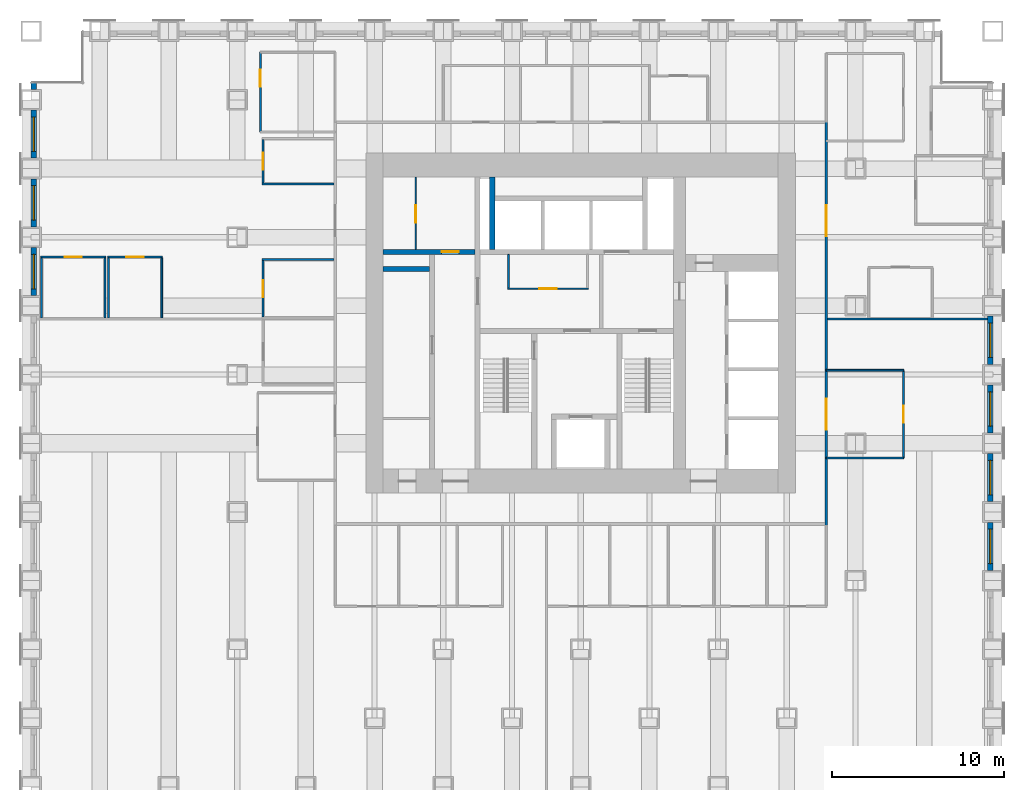
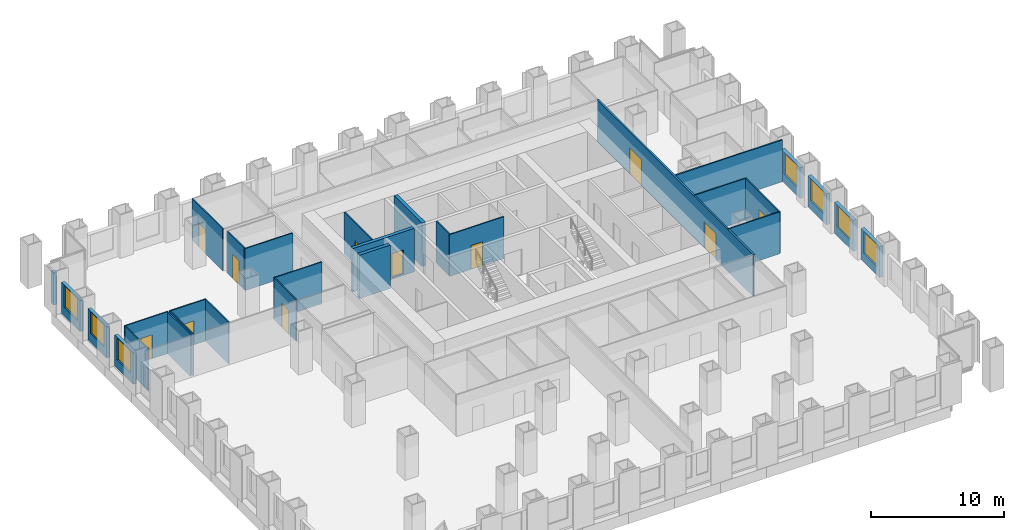
# One storey, part 11 of 15: 30 walls, 11 doors, 7 windows, 18 openings.
"""IFC4 building model written with IfcOpenShell, lengths in metres."""

from ifc_helpers import new_model, si_unit, direction, frame, frame_2d, origin, place, context, subcontext, project, spatial, rectangle, extrude, material, layer, layer_set, type_object, element, fill, save


model = new_model("IFC4")

# Units and contexts
model_context = context("Model", 3, precision=1e-05, world=origin(), true_north=direction((0.0, 1.0)))
body_context = subcontext(model_context, "Body", "Model", "MODEL_VIEW")
ifc_project = project(units=[si_unit("LENGTHUNIT", "METRE"), si_unit("AREAUNIT", "SQUARE_METRE"), si_unit("VOLUMEUNIT", "CUBIC_METRE"), si_unit("PLANEANGLEUNIT", "RADIAN"), si_unit("MASSUNIT", "GRAM", prefix="KILO")], contexts=[model_context])

# Site, building, storey
site_placement = place(None, origin())
site = spatial("IfcSite", under=ifc_project, at=site_placement, CompositionType="ELEMENT")
building_placement = place(site_placement, origin())
building = spatial("IfcBuilding", under=site, at=building_placement, Name="Rimbunsela Tower", CompositionType="ELEMENT")
storey_placement = place(building_placement, frame((0.0, 0.0, 19.0)))
storey = spatial("IfcBuildingStorey", under=building, at=storey_placement, Name="L04", CompositionType="ELEMENT", Elevation=19.0)

# Wall, opening, door
ifc_material_1 = material(Name="Concrete fc' 80 MPa", Category="concrete")
ifc_layer_1 = layer(ifc_material_1, 0.300048828125)
ifc_layer_set_1 = layer_set([ifc_layer_1], Name="Core internal wall 300")
wall_type_1 = type_object("IfcWallType", Name="Core internal wall 300", PredefinedType="SHEAR", material=ifc_layer_set_1)
wall_1_placement = place(storey_placement, frame((18.5, 31.14990234375, -0.14990234375), z_axis=(0.0, 0.0, 1.0), x_axis=(1.0, 0.0, 0.0)))
wall_1 = element("IfcWall", 1, at=wall_1_placement, inside=storey, type_object=wall_type_1, Name="Store wall", PredefinedType="SHEAR", context=body_context, shape_type="SweptSolid", body=[
    extrude(rectangle(XDim=5.35009765625, YDim=0.300048828125, at=frame_2d((2.675048828125, 0.0))), origin(), (0.0, 0.0, 1.0), 4.0),
])
opening_1_placement = place(wall_1_placement, frame((3.39990234375, 0.0, 0.14990234375)))
opening_1 = element("IfcOpeningElement", 2, at=opening_1_placement, cuts=wall_1, Name="Opening D19", PredefinedType="OPENING", context=body_context, shape_type="SweptSolid", body=[
    extrude(rectangle(XDim=1.0, YDim=2.199951171875, at=frame_2d((0.5, 1.10009765625))), frame((0.0, 0.159912109375, 0.0), z_axis=(0.0, -1.0, 0.0), x_axis=(1.0, 0.0, 0.0)), (0.0, 0.0, 1.0), 0.320068359375),
])
ifc_material_2 = material(Name="Steel door, fire rated", Category="steel")
door_type_1 = type_object("IfcDoorType", Name="Service door 1000 fire rated", OperationType="SINGLE_SWING_LEFT", PredefinedType="DOOR", material=ifc_material_2)
door_1_placement = place(opening_1_placement, origin())
door_1 = element("IfcDoor", 3, at=door_1_placement, inside=storey, type_object=door_type_1, Name="Facilities store door", OperationType="SINGLE_SWING_LEFT", OverallHeight=2.199951171875, OverallWidth=1.0, PredefinedType="DOOR", context=body_context, shape_type="SweptSolid", body=[
    extrude(rectangle(XDim=1.0, YDim=2.199951171875, at=frame_2d((0.5, 1.10009765625))), frame((0.0, 0.02490234375, 0.0), z_axis=(0.0, -1.0, 0.0), x_axis=(1.0, 0.0, 0.0)), (0.0, 0.0, 1.0), 0.050048828125),
])
fill(opening_1, door_1)

# Walls
wall_2_placement = place(storey_placement, frame((18.5, 30.14990234375, -0.14990234375), z_axis=(0.0, 0.0, 1.0), x_axis=(1.0, 0.0, 0.0)))
element("IfcWall", 4, at=wall_2_placement, inside=storey, type_object=wall_type_1, Name="Lift shaft rear west", PredefinedType="SHEAR", context=body_context, shape_type="SweptSolid", body=[
    extrude(rectangle(XDim=2.699951171875, YDim=0.300048828125, at=frame_2d((1.35009765625, 0.0))), origin(), (0.0, 0.0, 1.0), 4.0),
])
wall_3_placement = place(storey_placement, frame((24.85009765625, 31.300048828125, -0.14990234375), z_axis=(0.0, 0.0, 1.0), x_axis=(0.0, 1.0, 0.0)))
element("IfcWall", 5, at=wall_3_placement, inside=storey, type_object=wall_type_1, Name="Riser wall", PredefinedType="SHEAR", context=body_context, shape_type="SweptSolid", body=[
    extrude(rectangle(XDim=4.199951171875, YDim=0.300048828125, at=frame_2d((2.10009765625, 0.0))), origin(), (0.0, 0.0, 1.0), 4.0),
])

# Wall, opening, door
ifc_material_3 = material(Name="Concrete blockwork", Category="masonry")
ifc_layer_2 = layer(ifc_material_3, 0.10009765625)
ifc_layer_set_2 = layer_set([ifc_layer_2], Name="Core room partition 100")
wall_type_2 = type_object("IfcWallType", Name="Core room partition 100", PredefinedType="PARTITIONING", material=ifc_layer_set_2)
wall_4_placement = place(storey_placement, frame((20.39990234375, 31.300048828125, 0.0), z_axis=(0.0, 0.0, 1.0), x_axis=(0.0, 1.0, 0.0)))
wall_4 = element("IfcWall", 6, at=wall_4_placement, inside=storey, type_object=wall_type_2, Name="Tenant store wall", PredefinedType="PARTITIONING", context=body_context, shape_type="SweptSolid", body=[
    extrude(rectangle(XDim=4.199951171875, YDim=0.10009765625, at=frame_2d((2.10009765625, 0.0))), origin(), (0.0, 0.0, 1.0), 3.85009765625),
])
opening_2_placement = place(wall_4_placement, frame((1.550048828125, 0.0, 0.0)))
opening_2 = element("IfcOpeningElement", 7, at=opening_2_placement, cuts=wall_4, Name="Opening D19", PredefinedType="OPENING", context=body_context, shape_type="SweptSolid", body=[
    extrude(rectangle(XDim=1.0, YDim=2.199951171875, at=frame_2d((0.5, 1.10009765625))), frame((0.0, 0.06005859375, 0.0), z_axis=(0.0, -1.0, 0.0), x_axis=(1.0, 0.0, 0.0)), (0.0, 0.0, 1.0), 0.1201171875),
])
door_2_placement = place(opening_2_placement, origin())
door_2 = element("IfcDoor", 8, at=door_2_placement, inside=storey, type_object=door_type_1, Name="Tenant store door", OperationType="SINGLE_SWING_LEFT", OverallHeight=2.199951171875, OverallWidth=1.0, PredefinedType="DOOR", context=body_context, shape_type="SweptSolid", body=[
    extrude(rectangle(XDim=1.0, YDim=2.199951171875, at=frame_2d((0.5, 1.10009765625))), frame((0.0, 0.02490234375, 0.0), z_axis=(0.0, -1.0, 0.0), x_axis=(1.0, 0.0, 0.0)), (0.0, 0.0, 1.0), 0.050048828125),
])
fill(opening_2, door_2)

wall_5_placement = place(storey_placement, frame((25.75, 29.0, 0.0), z_axis=(0.0, 0.0, 1.0), x_axis=(1.0, 0.0, 0.0)))
wall_5 = element("IfcWall", 9, at=wall_5_placement, inside=storey, type_object=wall_type_2, Name="Lobby room wall", PredefinedType="PARTITIONING", context=body_context, shape_type="SweptSolid", body=[
    extrude(rectangle(XDim=4.699951171875, YDim=0.10009765625, at=frame_2d((2.35009765625, 0.0))), origin(), (0.0, 0.0, 1.0), 3.85009765625),
])
opening_3_placement = place(wall_5_placement, frame((1.85009765625, 0.0, 0.0)))
opening_3 = element("IfcOpeningElement", 10, at=opening_3_placement, cuts=wall_5, Name="Opening D19", PredefinedType="OPENING", context=body_context, shape_type="SweptSolid", body=[
    extrude(rectangle(XDim=1.0, YDim=2.199951171875, at=frame_2d((0.5, 1.10009765625))), frame((0.0, 0.06005859375, 0.0), z_axis=(0.0, -1.0, 0.0), x_axis=(1.0, 0.0, 0.0)), (0.0, 0.0, 1.0), 0.1201171875),
])
door_3_placement = place(opening_3_placement, origin())
door_3 = element("IfcDoor", 11, at=door_3_placement, inside=storey, type_object=door_type_1, Name="Tenant store door", OperationType="SINGLE_SWING_LEFT", OverallHeight=2.199951171875, OverallWidth=1.0, PredefinedType="DOOR", context=body_context, shape_type="SweptSolid", body=[
    extrude(rectangle(XDim=1.0, YDim=2.199951171875, at=frame_2d((0.5, 1.10009765625))), frame((0.0, 0.02490234375, 0.0), z_axis=(0.0, -1.0, 0.0), x_axis=(1.0, 0.0, 0.0)), (0.0, 0.0, 1.0), 0.050048828125),
])
fill(opening_3, door_3)

# Walls
wall_6_placement = place(storey_placement, frame((25.800048828125, 29.050048828125, 0.0), z_axis=(0.0, 0.0, 1.0), x_axis=(0.0, 1.0, 0.0)))
element("IfcWall", 12, at=wall_6_placement, inside=storey, type_object=wall_type_2, Name="Lobby room wall", PredefinedType="PARTITIONING", context=body_context, shape_type="SweptSolid", body=[
    extrude(rectangle(XDim=1.949951171875, YDim=0.10009765625, at=frame_2d((0.97509765625, 0.0))), origin(), (0.0, 0.0, 1.0), 3.85009765625),
])
ifc_material_4 = material(Name="Gypsum board on steel studs", Category="steel")
ifc_layer_3 = layer(ifc_material_4, 0.10009765625)
ifc_layer_set_3 = layer_set([ifc_layer_3], Name="Office partition 100")
wall_type_3 = type_object("IfcWallType", Name="Office partition 100", PredefinedType="PARTITIONING", material=ifc_layer_set_3)
wall_7_placement = place(storey_placement, frame((11.449951171875, 30.699951171875, 0.0), z_axis=(0.0, 0.0, 1.0), x_axis=(1.0, 0.0, 0.0)))
element("IfcWall", 13, at=wall_7_placement, inside=storey, type_object=wall_type_3, Name="Office partition", PredefinedType="PARTITIONING", context=body_context, shape_type="SweptSolid", body=[
    extrude(rectangle(XDim=4.175048828125, YDim=0.10009765625, at=frame_2d((2.08740234375, 0.0))), origin(), (0.0, 0.0, 1.0), 3.85009765625),
])

# Wall, opening, door
wall_8_placement = place(storey_placement, frame((-1.449951171875, 30.85009765625, 0.0), z_axis=(0.0, 0.0, 1.0), x_axis=(1.0, 0.0, 0.0)))
wall_8 = element("IfcWall", 14, at=wall_8_placement, inside=storey, type_object=wall_type_3, Name="Office partition", PredefinedType="PARTITIONING", context=body_context, shape_type="SweptSolid", body=[
    extrude(rectangle(XDim=3.800048828125, YDim=0.10009765625, at=frame_2d((1.89990234375, 0.0))), origin(), (0.0, 0.0, 1.0), 3.85009765625),
])
opening_4_placement = place(wall_8_placement, frame((1.39990234375, 0.0, 0.0)))
opening_4 = element("IfcOpeningElement", 15, at=opening_4_placement, cuts=wall_8, Name="Opening D17", PredefinedType="OPENING", context=body_context, shape_type="SweptSolid", body=[
    extrude(rectangle(XDim=1.0, YDim=2.199951171875, at=frame_2d((0.5, 1.10009765625))), frame((0.0, 0.06005859375, 0.0), z_axis=(0.0, -1.0, 0.0), x_axis=(1.0, 0.0, 0.0)), (0.0, 0.0, 1.0), 0.1201171875),
])
ifc_material_5 = material(Name="Glazed aluminium door", Category="aluminium")
door_type_2 = type_object("IfcDoorType", Name="Meeting room door 1000 glazed", OperationType="SINGLE_SWING_RIGHT", PredefinedType="DOOR", material=ifc_material_5)
door_4_placement = place(opening_4_placement, origin())
door_4 = element("IfcDoor", 16, at=door_4_placement, inside=storey, type_object=door_type_2, Name="Meeting room door", OperationType="SINGLE_SWING_RIGHT", OverallHeight=2.199951171875, OverallWidth=1.0, PredefinedType="DOOR", context=body_context, shape_type="SweptSolid", body=[
    extrude(rectangle(XDim=1.0, YDim=2.199951171875, at=frame_2d((0.5, 1.10009765625))), frame((0.0, 0.02490234375, 0.0), z_axis=(0.0, -1.0, 0.0), x_axis=(1.0, 0.0, 0.0)), (0.0, 0.0, 1.0), 0.050048828125),
])
fill(opening_4, door_4)

wall_9_placement = place(storey_placement, frame((2.449951171875, 30.85009765625, 0.0), z_axis=(0.0, 0.0, 1.0), x_axis=(1.0, 0.0, 0.0)))
wall_9 = element("IfcWall", 17, at=wall_9_placement, inside=storey, type_object=wall_type_3, Name="Office partition", PredefinedType="PARTITIONING", context=body_context, shape_type="SweptSolid", body=[
    extrude(rectangle(XDim=3.199951171875, YDim=0.10009765625, at=frame_2d((1.60009765625, 0.0))), origin(), (0.0, 0.0, 1.0), 3.85009765625),
])
opening_5_placement = place(wall_9_placement, frame((1.10009765625, 0.0, 0.0)))
opening_5 = element("IfcOpeningElement", 18, at=opening_5_placement, cuts=wall_9, Name="Opening D16", PredefinedType="OPENING", context=body_context, shape_type="SweptSolid", body=[
    extrude(rectangle(XDim=1.0, YDim=2.199951171875, at=frame_2d((0.5, 1.10009765625))), frame((0.0, 0.06005859375, 0.0), z_axis=(0.0, -1.0, 0.0), x_axis=(1.0, 0.0, 0.0)), (0.0, 0.0, 1.0), 0.1201171875),
])
ifc_material_6 = material(Name="Timber door", Category="wood")
door_type_3 = type_object("IfcDoorType", Name="Office door 1000", OperationType="SINGLE_SWING_LEFT", PredefinedType="DOOR", material=ifc_material_6)
door_5_placement = place(opening_5_placement, origin())
door_5 = element("IfcDoor", 19, at=door_5_placement, inside=storey, type_object=door_type_3, Name="Office door", OperationType="SINGLE_SWING_LEFT", OverallHeight=2.199951171875, OverallWidth=1.0, PredefinedType="DOOR", context=body_context, shape_type="SweptSolid", body=[
    extrude(rectangle(XDim=1.0, YDim=2.199951171875, at=frame_2d((0.5, 1.10009765625))), frame((0.0, 0.02490234375, 0.0), z_axis=(0.0, -1.0, 0.0), x_axis=(1.0, 0.0, 0.0)), (0.0, 0.0, 1.0), 0.050048828125),
])
fill(opening_5, door_5)

# Walls
wall_10_placement = place(storey_placement, frame((11.449951171875, 35.10009765625, 0.0), z_axis=(0.0, 0.0, 1.0), x_axis=(1.0, 0.0, 0.0)))
element("IfcWall", 20, at=wall_10_placement, inside=storey, type_object=wall_type_3, Name="Office partition", PredefinedType="PARTITIONING", context=body_context, shape_type="SweptSolid", body=[
    extrude(rectangle(XDim=4.175048828125, YDim=0.10009765625, at=frame_2d((2.08740234375, 0.0))), origin(), (0.0, 0.0, 1.0), 3.85009765625),
])
for number, where, z_axis, x_axis, name in (
    (21, (-1.39990234375, 27.31005859375, 0.0), (0.0, 0.0, 1.0), (0.0, 1.0, 0.0), "Office partition"),
    (22, (2.300048828125, 27.31005859375, 0.0), (0.0, 0.0, 1.0), (0.0, 1.0, 0.0), "Office partition"),
    (23, (2.5, 27.31005859375, 0.0), (0.0, 0.0, 1.0), (0.0, 1.0, 0.0), "Office partition"),
    (24, (5.60009765625, 27.31005859375, 0.0), (0.0, 0.0, 1.0), (0.0, 1.0, 0.0), "Office partition"),
):
    element("IfcWall", number, at=place(storey_placement, frame(where, z_axis=z_axis, x_axis=x_axis)), inside=storey, type_object=wall_type_3, Name=name, PredefinedType="PARTITIONING", context=body_context, shape_type="SweptSolid", body=[
        extrude(rectangle(XDim=3.489990234375, YDim=0.10009765625, at=frame_2d((1.7451171875, 0.0))), origin(), (0.0, 0.0, 1.0), 3.85009765625),
    ])

# Wall, opening, door
wall_11_placement = place(storey_placement, frame((11.5, 27.35009765625, 0.0), z_axis=(0.0, 0.0, 1.0), x_axis=(0.0, 1.0, 0.0)))
wall_11 = element("IfcWall", 25, at=wall_11_placement, inside=storey, type_object=wall_type_3, Name="Office partition", PredefinedType="PARTITIONING", context=body_context, shape_type="SweptSolid", body=[
    extrude(rectangle(XDim=3.2998046875, YDim=0.10009765625, at=frame_2d((1.64990234375, 0.0))), origin(), (0.0, 0.0, 1.0), 3.85009765625),
])
opening_6_placement = place(wall_11_placement, frame((1.14990234375, 0.0, 0.0)))
opening_6 = element("IfcOpeningElement", 26, at=opening_6_placement, cuts=wall_11, Name="Opening D16", PredefinedType="OPENING", context=body_context, shape_type="SweptSolid", body=[
    extrude(rectangle(XDim=1.0, YDim=2.199951171875, at=frame_2d((0.5, 1.10009765625))), frame((0.0, 0.06005859375, 0.0), z_axis=(0.0, -1.0, 0.0), x_axis=(1.0, 0.0, 0.0)), (0.0, 0.0, 1.0), 0.1201171875),
])
door_6_placement = place(opening_6_placement, origin())
door_6 = element("IfcDoor", 27, at=door_6_placement, inside=storey, type_object=door_type_3, Name="Office door", OperationType="SINGLE_SWING_LEFT", OverallHeight=2.199951171875, OverallWidth=1.0, PredefinedType="DOOR", context=body_context, shape_type="SweptSolid", body=[
    extrude(rectangle(XDim=1.0, YDim=2.199951171875, at=frame_2d((0.5, 1.10009765625))), frame((0.0, 0.02490234375, 0.0), z_axis=(0.0, -1.0, 0.0), x_axis=(1.0, 0.0, 0.0)), (0.0, 0.0, 1.0), 0.050048828125),
])
fill(opening_6, door_6)

wall_12_placement = place(storey_placement, frame((11.5, 35.14990234375, 0.0), z_axis=(0.0, 0.0, 1.0), x_axis=(0.0, 1.0, 0.0)))
wall_12 = element("IfcWall", 28, at=wall_12_placement, inside=storey, type_object=wall_type_3, Name="Office partition", PredefinedType="PARTITIONING", context=body_context, shape_type="SweptSolid", body=[
    extrude(rectangle(XDim=2.550048828125, YDim=0.10009765625, at=frame_2d((1.27490234375, 0.0))), origin(), (0.0, 0.0, 1.0), 3.85009765625),
])
opening_7_placement = place(wall_12_placement, frame((0.77490234375, 0.0, 0.0)))
opening_7 = element("IfcOpeningElement", 29, at=opening_7_placement, cuts=wall_12, Name="Opening D16", PredefinedType="OPENING", context=body_context, shape_type="SweptSolid", body=[
    extrude(rectangle(XDim=1.0, YDim=2.199951171875, at=frame_2d((0.5, 1.10009765625))), frame((0.0, 0.06005859375, 0.0), z_axis=(0.0, -1.0, 0.0), x_axis=(1.0, 0.0, 0.0)), (0.0, 0.0, 1.0), 0.1201171875),
])
door_7_placement = place(opening_7_placement, origin())
door_7 = element("IfcDoor", 30, at=door_7_placement, inside=storey, type_object=door_type_3, Name="Office door", OperationType="SINGLE_SWING_LEFT", OverallHeight=2.199951171875, OverallWidth=1.0, PredefinedType="DOOR", context=body_context, shape_type="SweptSolid", body=[
    extrude(rectangle(XDim=1.0, YDim=2.199951171875, at=frame_2d((0.5, 1.10009765625))), frame((0.0, 0.02490234375, 0.0), z_axis=(0.0, -1.0, 0.0), x_axis=(1.0, 0.0, 0.0)), (0.0, 0.0, 1.0), 0.050048828125),
])
fill(opening_7, door_7)

wall_13_placement = place(storey_placement, frame((11.35009765625, 42.77490234375, 0.0), z_axis=(0.0, 0.0, 1.0), x_axis=(0.0, -1.0, 0.0)))
wall_13 = element("IfcWall", 31, at=wall_13_placement, inside=storey, type_object=wall_type_3, Name="Office partition", PredefinedType="PARTITIONING", context=body_context, shape_type="SweptSolid", body=[
    extrude(rectangle(XDim=4.64990234375, YDim=0.10009765625, at=frame_2d((2.324951171875, 0.0))), origin(), (0.0, 0.0, 1.0), 3.85009765625),
])
opening_8_placement = place(wall_13_placement, frame((1.02490234375, 0.0, 0.0)))
opening_8 = element("IfcOpeningElement", 32, at=opening_8_placement, cuts=wall_13, Name="Opening D17", PredefinedType="OPENING", context=body_context, shape_type="SweptSolid", body=[
    extrude(rectangle(XDim=1.0, YDim=2.199951171875, at=frame_2d((0.5, 1.10009765625))), frame((0.0, 0.06005859375, 0.0), z_axis=(0.0, -1.0, 0.0), x_axis=(1.0, 0.0, 0.0)), (0.0, 0.0, 1.0), 0.1201171875),
])
door_8_placement = place(opening_8_placement, origin())
door_8 = element("IfcDoor", 33, at=door_8_placement, inside=storey, type_object=door_type_2, Name="Reception door", OperationType="SINGLE_SWING_RIGHT", OverallHeight=2.199951171875, OverallWidth=1.0, PredefinedType="DOOR", context=body_context, shape_type="SweptSolid", body=[
    extrude(rectangle(XDim=1.0, YDim=2.199951171875, at=frame_2d((0.5, 1.10009765625))), frame((0.0, 0.02490234375, 0.0), z_axis=(0.0, -1.0, 0.0), x_axis=(1.0, 0.0, 0.0)), (0.0, 0.0, 1.0), 0.050048828125),
])
fill(opening_8, door_8)

# Wall
wall_14_placement = place(storey_placement, frame((44.300048828125, 19.14990234375, 0.0), z_axis=(0.0, 0.0, 1.0), x_axis=(1.0, 0.0, 0.0)))
element("IfcWall", 34, at=wall_14_placement, inside=storey, type_object=wall_type_3, Name="Office partition", PredefinedType="PARTITIONING", context=body_context, shape_type="SweptSolid", body=[
    extrude(rectangle(XDim=4.5, YDim=0.10009765625, at=frame_2d((2.25, 0.0))), origin(), (0.0, 0.0, 1.0), 3.85009765625),
])

# Wall, opening, door
wall_15_placement = place(storey_placement, frame((48.800048828125, 19.14990234375, 0.0), z_axis=(0.0, 0.0, 1.0), x_axis=(0.0, 1.0, 0.0)))
wall_15 = element("IfcWall", 35, at=wall_15_placement, inside=storey, type_object=wall_type_3, Name="Office partition", PredefinedType="PARTITIONING", context=body_context, shape_type="SweptSolid", body=[
    extrude(rectangle(XDim=5.10009765625, YDim=0.10009765625, at=frame_2d((2.550048828125, 0.0))), origin(), (0.0, 0.0, 1.0), 3.85009765625),
])
opening_9_placement = place(wall_15_placement, frame((2.050048828125, 0.0, 0.0)))
opening_9 = element("IfcOpeningElement", 36, at=opening_9_placement, cuts=wall_15, Name="Opening D17", PredefinedType="OPENING", context=body_context, shape_type="SweptSolid", body=[
    extrude(rectangle(XDim=1.0, YDim=2.199951171875, at=frame_2d((0.5, 1.10009765625))), frame((0.0, 0.06005859375, 0.0), z_axis=(0.0, -1.0, 0.0), x_axis=(1.0, 0.0, 0.0)), (0.0, 0.0, 1.0), 0.1201171875),
])
door_9_placement = place(opening_9_placement, origin())
door_9 = element("IfcDoor", 37, at=door_9_placement, inside=storey, type_object=door_type_2, Name="Reception door", OperationType="SINGLE_SWING_RIGHT", OverallHeight=2.199951171875, OverallWidth=1.0, PredefinedType="DOOR", context=body_context, shape_type="SweptSolid", body=[
    extrude(rectangle(XDim=1.0, YDim=2.199951171875, at=frame_2d((0.5, 1.10009765625))), frame((0.0, 0.02490234375, 0.0), z_axis=(0.0, -1.0, 0.0), x_axis=(1.0, 0.0, 0.0)), (0.0, 0.0, 1.0), 0.050048828125),
])
fill(opening_9, door_9)

# Wall
wall_16_placement = place(storey_placement, frame((48.800048828125, 24.25, 0.0), z_axis=(0.0, 0.0, 1.0), x_axis=(-1.0, 0.0, 0.0)))
element("IfcWall", 38, at=wall_16_placement, inside=storey, type_object=wall_type_3, Name="Office partition", PredefinedType="PARTITIONING", context=body_context, shape_type="SweptSolid", body=[
    extrude(rectangle(XDim=4.5, YDim=0.10009765625, at=frame_2d((2.25, 0.0))), origin(), (0.0, 0.0, 1.0), 3.85009765625),
])

# Wall, opening, window
ifc_material_7 = material(Name="Precast concrete fc' 35 MPa", Category="concrete")
ifc_layer_4 = layer(ifc_material_7, 0.300048828125)
ifc_layer_set_4 = layer_set([ifc_layer_4], Name="Precast concrete fc' 35 MPa")
wall_type_4 = type_object("IfcWallType", Name="Precast facade panel 300", PredefinedType="ELEMENTEDWALL", material=ifc_layer_set_4)
wall_17_placement = place(storey_placement, frame((53.85009765625, 12.60009765625, 0.0), z_axis=(0.0, 0.0, 1.0), x_axis=(0.0, 1.0, 0.0)))
wall_17 = element("IfcWall", 39, at=wall_17_placement, inside=storey, type_object=wall_type_4, Name="Facade panel E L04", PredefinedType="ELEMENTEDWALL", context=body_context, shape_type="SweptSolid", body=[
    extrude(rectangle(XDim=2.7998046875, YDim=0.300048828125, at=frame_2d((1.39990234375, 0.0))), origin(), (0.0, 0.0, 1.0), 2.85009765625),
])
opening_10_placement = place(wall_17_placement, frame((0.39990234375, 0.0, 0.800048828125)))
opening_10 = element("IfcOpeningElement", 40, at=opening_10_placement, cuts=wall_17, Name="Opening W1", PredefinedType="OPENING", context=body_context, shape_type="SweptSolid", body=[
    extrude(rectangle(XDim=2.0, YDim=2.0, at=frame_2d((1.0, 1.0))), frame((0.0, 0.159912109375, 0.0), z_axis=(0.0, -1.0, 0.0), x_axis=(1.0, 0.0, 0.0)), (0.0, 0.0, 1.0), 0.320068359375),
])
ifc_material_8 = material(Name="Clear glass in aluminium frame", Category="aluminium")
window_type = type_object("IfcWindowType", Name="Window W1 2000x2000", PartitioningType="DOUBLE_PANEL_VERTICAL", PredefinedType="WINDOW", material=ifc_material_8)
window_1_placement = place(opening_10_placement, origin())
window_1 = element("IfcWindow", 41, at=window_1_placement, inside=storey, type_object=window_type, Name="Window L04", OverallHeight=2.0, OverallWidth=2.0, PartitioningType="SINGLE_PANEL", PredefinedType="WINDOW", context=body_context, shape_type="SweptSolid", body=[
    extrude(rectangle(XDim=2.0, YDim=2.0, at=frame_2d((1.0, 1.0))), frame((0.0, 0.030029296875, 0.0), z_axis=(0.0, -1.0, 0.0), x_axis=(1.0, 0.0, 0.0)), (0.0, 0.0, 1.0), 0.06005859375),
])
fill(opening_10, window_1)

wall_18_placement = place(storey_placement, frame((53.85009765625, 16.60009765625, 0.0), z_axis=(0.0, 0.0, 1.0), x_axis=(0.0, 1.0, 0.0)))
wall_18 = element("IfcWall", 42, at=wall_18_placement, inside=storey, type_object=wall_type_4, Name="Facade panel E L04", PredefinedType="ELEMENTEDWALL", context=body_context, shape_type="SweptSolid", body=[
    extrude(rectangle(XDim=2.7998046875, YDim=0.300048828125, at=frame_2d((1.39990234375, 0.0))), origin(), (0.0, 0.0, 1.0), 2.85009765625),
])
opening_11_placement = place(wall_18_placement, frame((0.39990234375, 0.0, 0.800048828125)))
opening_11 = element("IfcOpeningElement", 43, at=opening_11_placement, cuts=wall_18, Name="Opening W1", PredefinedType="OPENING", context=body_context, shape_type="SweptSolid", body=[
    extrude(rectangle(XDim=2.0, YDim=2.0, at=frame_2d((1.0, 1.0))), frame((0.0, 0.159912109375, 0.0), z_axis=(0.0, -1.0, 0.0), x_axis=(1.0, 0.0, 0.0)), (0.0, 0.0, 1.0), 0.320068359375),
])
window_2_placement = place(opening_11_placement, origin())
window_2 = element("IfcWindow", 44, at=window_2_placement, inside=storey, type_object=window_type, Name="Window L04", OverallHeight=2.0, OverallWidth=2.0, PartitioningType="SINGLE_PANEL", PredefinedType="WINDOW", context=body_context, shape_type="SweptSolid", body=[
    extrude(rectangle(XDim=2.0, YDim=2.0, at=frame_2d((1.0, 1.0))), frame((0.0, 0.030029296875, 0.0), z_axis=(0.0, -1.0, 0.0), x_axis=(1.0, 0.0, 0.0)), (0.0, 0.0, 1.0), 0.06005859375),
])
fill(opening_11, window_2)

wall_19_placement = place(storey_placement, frame((53.85009765625, 20.60009765625, 0.0), z_axis=(0.0, 0.0, 1.0), x_axis=(0.0, 1.0, 0.0)))
wall_19 = element("IfcWall", 45, at=wall_19_placement, inside=storey, type_object=wall_type_4, Name="Facade panel E L04", PredefinedType="ELEMENTEDWALL", context=body_context, shape_type="SweptSolid", body=[
    extrude(rectangle(XDim=2.7998046875, YDim=0.300048828125, at=frame_2d((1.39990234375, 0.0))), origin(), (0.0, 0.0, 1.0), 2.85009765625),
])
opening_12_placement = place(wall_19_placement, frame((0.39990234375, 0.0, 0.800048828125)))
opening_12 = element("IfcOpeningElement", 46, at=opening_12_placement, cuts=wall_19, Name="Opening W1", PredefinedType="OPENING", context=body_context, shape_type="SweptSolid", body=[
    extrude(rectangle(XDim=2.0, YDim=2.0, at=frame_2d((1.0, 1.0))), frame((0.0, 0.159912109375, 0.0), z_axis=(0.0, -1.0, 0.0), x_axis=(1.0, 0.0, 0.0)), (0.0, 0.0, 1.0), 0.320068359375),
])
window_3_placement = place(opening_12_placement, origin())
window_3 = element("IfcWindow", 47, at=window_3_placement, inside=storey, type_object=window_type, Name="Window L04", OverallHeight=2.0, OverallWidth=2.0, PartitioningType="SINGLE_PANEL", PredefinedType="WINDOW", context=body_context, shape_type="SweptSolid", body=[
    extrude(rectangle(XDim=2.0, YDim=2.0, at=frame_2d((1.0, 1.0))), frame((0.0, 0.030029296875, 0.0), z_axis=(0.0, -1.0, 0.0), x_axis=(1.0, 0.0, 0.0)), (0.0, 0.0, 1.0), 0.06005859375),
])
fill(opening_12, window_3)

wall_20_placement = place(storey_placement, frame((53.85009765625, 24.60009765625, 0.0), z_axis=(0.0, 0.0, 1.0), x_axis=(0.0, 1.0, 0.0)))
wall_20 = element("IfcWall", 48, at=wall_20_placement, inside=storey, type_object=wall_type_4, Name="Facade panel E L04", PredefinedType="ELEMENTEDWALL", context=body_context, shape_type="SweptSolid", body=[
    extrude(rectangle(XDim=2.7998046875, YDim=0.300048828125, at=frame_2d((1.39990234375, 0.0))), origin(), (0.0, 0.0, 1.0), 2.85009765625),
])
opening_13_placement = place(wall_20_placement, frame((0.39990234375, 0.0, 0.800048828125)))
opening_13 = element("IfcOpeningElement", 49, at=opening_13_placement, cuts=wall_20, Name="Opening W1", PredefinedType="OPENING", context=body_context, shape_type="SweptSolid", body=[
    extrude(rectangle(XDim=2.0, YDim=2.0, at=frame_2d((1.0, 1.0))), frame((0.0, 0.159912109375, 0.0), z_axis=(0.0, -1.0, 0.0), x_axis=(1.0, 0.0, 0.0)), (0.0, 0.0, 1.0), 0.320068359375),
])
window_4_placement = place(opening_13_placement, origin())
window_4 = element("IfcWindow", 50, at=window_4_placement, inside=storey, type_object=window_type, Name="Window L04", OverallHeight=2.0, OverallWidth=2.0, PartitioningType="SINGLE_PANEL", PredefinedType="WINDOW", context=body_context, shape_type="SweptSolid", body=[
    extrude(rectangle(XDim=2.0, YDim=2.0, at=frame_2d((1.0, 1.0))), frame((0.0, 0.030029296875, 0.0), z_axis=(0.0, -1.0, 0.0), x_axis=(1.0, 0.0, 0.0)), (0.0, 0.0, 1.0), 0.06005859375),
])
fill(opening_13, window_4)

wall_21_placement = place(storey_placement, frame((-1.85009765625, 31.39990234375, 0.0), z_axis=(0.0, 0.0, 1.0), x_axis=(0.0, -1.0, 0.0)))
wall_21 = element("IfcWall", 51, at=wall_21_placement, inside=storey, type_object=wall_type_4, Name="Facade panel W L04", PredefinedType="ELEMENTEDWALL", context=body_context, shape_type="SweptSolid", body=[
    extrude(rectangle(XDim=2.7998046875, YDim=0.300048828125, at=frame_2d((1.39990234375, 0.0))), origin(), (0.0, 0.0, 1.0), 2.85009765625),
])
opening_14_placement = place(wall_21_placement, frame((0.39990234375, 0.0, 0.800048828125)))
opening_14 = element("IfcOpeningElement", 52, at=opening_14_placement, cuts=wall_21, Name="Opening W1", PredefinedType="OPENING", context=body_context, shape_type="SweptSolid", body=[
    extrude(rectangle(XDim=2.0, YDim=2.0, at=frame_2d((1.0, 1.0))), frame((0.0, 0.159912109375, 0.0), z_axis=(0.0, -1.0, 0.0), x_axis=(1.0, 0.0, 0.0)), (0.0, 0.0, 1.0), 0.320068359375),
])
window_5_placement = place(opening_14_placement, origin())
window_5 = element("IfcWindow", 53, at=window_5_placement, inside=storey, type_object=window_type, Name="Window L04", OverallHeight=2.0, OverallWidth=2.0, PartitioningType="SINGLE_PANEL", PredefinedType="WINDOW", context=body_context, shape_type="SweptSolid", body=[
    extrude(rectangle(XDim=2.0, YDim=2.0, at=frame_2d((1.0, 1.0))), frame((0.0, 0.030029296875, 0.0), z_axis=(0.0, -1.0, 0.0), x_axis=(1.0, 0.0, 0.0)), (0.0, 0.0, 1.0), 0.06005859375),
])
fill(opening_14, window_5)

wall_22_placement = place(storey_placement, frame((-1.85009765625, 35.39990234375, 0.0), z_axis=(0.0, 0.0, 1.0), x_axis=(0.0, -1.0, 0.0)))
wall_22 = element("IfcWall", 54, at=wall_22_placement, inside=storey, type_object=wall_type_4, Name="Facade panel W L04", PredefinedType="ELEMENTEDWALL", context=body_context, shape_type="SweptSolid", body=[
    extrude(rectangle(XDim=2.7998046875, YDim=0.300048828125, at=frame_2d((1.39990234375, 0.0))), origin(), (0.0, 0.0, 1.0), 2.85009765625),
])
opening_15_placement = place(wall_22_placement, frame((0.39990234375, 0.0, 0.800048828125)))
opening_15 = element("IfcOpeningElement", 55, at=opening_15_placement, cuts=wall_22, Name="Opening W1", PredefinedType="OPENING", context=body_context, shape_type="SweptSolid", body=[
    extrude(rectangle(XDim=2.0, YDim=2.0, at=frame_2d((1.0, 1.0))), frame((0.0, 0.159912109375, 0.0), z_axis=(0.0, -1.0, 0.0), x_axis=(1.0, 0.0, 0.0)), (0.0, 0.0, 1.0), 0.320068359375),
])
window_6_placement = place(opening_15_placement, origin())
window_6 = element("IfcWindow", 56, at=window_6_placement, inside=storey, type_object=window_type, Name="Window L04", OverallHeight=2.0, OverallWidth=2.0, PartitioningType="SINGLE_PANEL", PredefinedType="WINDOW", context=body_context, shape_type="SweptSolid", body=[
    extrude(rectangle(XDim=2.0, YDim=2.0, at=frame_2d((1.0, 1.0))), frame((0.0, 0.030029296875, 0.0), z_axis=(0.0, -1.0, 0.0), x_axis=(1.0, 0.0, 0.0)), (0.0, 0.0, 1.0), 0.06005859375),
])
fill(opening_15, window_6)

wall_23_placement = place(storey_placement, frame((-1.85009765625, 39.39990234375, 0.0), z_axis=(0.0, 0.0, 1.0), x_axis=(0.0, -1.0, 0.0)))
wall_23 = element("IfcWall", 57, at=wall_23_placement, inside=storey, type_object=wall_type_4, Name="Facade panel W L04", PredefinedType="ELEMENTEDWALL", context=body_context, shape_type="SweptSolid", body=[
    extrude(rectangle(XDim=2.7998046875, YDim=0.300048828125, at=frame_2d((1.39990234375, 0.0))), origin(), (0.0, 0.0, 1.0), 2.85009765625),
])
opening_16_placement = place(wall_23_placement, frame((0.39990234375, 0.0, 0.800048828125)))
opening_16 = element("IfcOpeningElement", 58, at=opening_16_placement, cuts=wall_23, Name="Opening W1", PredefinedType="OPENING", context=body_context, shape_type="SweptSolid", body=[
    extrude(rectangle(XDim=2.0, YDim=2.0, at=frame_2d((1.0, 1.0))), frame((0.0, 0.159912109375, 0.0), z_axis=(0.0, -1.0, 0.0), x_axis=(1.0, 0.0, 0.0)), (0.0, 0.0, 1.0), 0.320068359375),
])
window_7_placement = place(opening_16_placement, origin())
window_7 = element("IfcWindow", 59, at=window_7_placement, inside=storey, type_object=window_type, Name="Window L04", OverallHeight=2.0, OverallWidth=2.0, PartitioningType="SINGLE_PANEL", PredefinedType="WINDOW", context=body_context, shape_type="SweptSolid", body=[
    extrude(rectangle(XDim=2.0, YDim=2.0, at=frame_2d((1.0, 1.0))), frame((0.0, 0.030029296875, 0.0), z_axis=(0.0, -1.0, 0.0), x_axis=(1.0, 0.0, 0.0)), (0.0, 0.0, 1.0), 0.06005859375),
])
fill(opening_16, window_7)

# Wall
wall_24_placement = place(storey_placement, frame((-1.85009765625, 40.969970703125, 0.0), z_axis=(0.0, 0.0, 1.0), x_axis=(0.0, -1.0, 0.0)))
element("IfcWall", 60, at=wall_24_placement, inside=storey, type_object=wall_type_4, Name="Facade panel W L04", PredefinedType="ELEMENTEDWALL", context=body_context, shape_type="SweptSolid", body=[
    extrude(rectangle(XDim=0.369873046875, YDim=0.300048828125, at=frame_2d((0.18505859375, 0.0))), origin(), (0.0, 0.0, 1.0), 2.949951171875),
])

# Wall, openings, doors
ifc_material_9 = material(Name="Fire-rated gypsum board on steel studs, EI 60", Category="steel")
ifc_layer_5 = layer(ifc_material_9, 0.14990234375)
ifc_layer_set_5 = layer_set([ifc_layer_5], Name="Rated corridor wall 150")
wall_type_5 = type_object("IfcWallType", Name="Rated corridor wall 150", PredefinedType="PARTITIONING", material=ifc_layer_set_5)
wall_25_placement = place(storey_placement, frame((44.300048828125, 15.22509765625, 0.0), z_axis=(0.0, 0.0, 1.0), x_axis=(0.0, 1.0, 0.0)))
wall_25 = element("IfcWall", 61, at=wall_25_placement, inside=storey, type_object=wall_type_5, Name="Corridor wall east", PredefinedType="PARTITIONING", context=body_context, shape_type="SweptSolid", body=[
    extrude(rectangle(XDim=23.5498046875, YDim=0.14990234375, at=frame_2d((11.77490234375, 0.0))), origin(), (0.0, 0.0, 1.0), 3.85009765625),
])
opening_17_placement = place(wall_25_placement, frame((5.574951171875, 0.0, 0.0)))
opening_17 = element("IfcOpeningElement", 62, at=opening_17_placement, cuts=wall_25, Name="Opening D09", PredefinedType="OPENING", context=body_context, shape_type="SweptSolid", body=[
    extrude(rectangle(XDim=1.800048828125, YDim=2.39990234375, at=frame_2d((0.89990234375, 1.199951171875))), frame((0.0, 0.0849609375, 0.0), z_axis=(0.0, -1.0, 0.0), x_axis=(1.0, 0.0, 0.0)), (0.0, 0.0, 1.0), 0.169921875),
])
opening_18_placement = place(wall_25_placement, frame((16.824951171875, 0.0, 0.0)))
opening_18 = element("IfcOpeningElement", 63, at=opening_18_placement, cuts=wall_25, Name="Opening D09", PredefinedType="OPENING", context=body_context, shape_type="SweptSolid", body=[
    extrude(rectangle(XDim=1.800048828125, YDim=2.39990234375, at=frame_2d((0.89990234375, 1.199951171875))), frame((0.0, 0.0849609375, 0.0), z_axis=(0.0, -1.0, 0.0), x_axis=(1.0, 0.0, 0.0)), (0.0, 0.0, 1.0), 0.169921875),
])
ifc_material_10 = material(Name="Glazed aluminium door, fire rated", Category="aluminium")
door_type_4 = type_object("IfcDoorType", Name="Tenancy door 1800 glazed", OperationType="DOUBLE_DOOR_DOUBLE_SWING", PredefinedType="DOOR", material=ifc_material_10)
door_10_placement = place(opening_17_placement, origin())
door_10 = element("IfcDoor", 64, at=door_10_placement, inside=storey, type_object=door_type_4, Name="Tenancy door", OperationType="DOUBLE_DOOR_DOUBLE_SWING", OverallHeight=2.39990234375, OverallWidth=1.800048828125, PredefinedType="DOOR", context=body_context, shape_type="SweptSolid", body=[
    extrude(rectangle(XDim=1.800048828125, YDim=2.39990234375, at=frame_2d((0.89990234375, 1.199951171875))), frame((0.0, 0.02490234375, 0.0), z_axis=(0.0, -1.0, 0.0), x_axis=(1.0, 0.0, 0.0)), (0.0, 0.0, 1.0), 0.050048828125),
])
fill(opening_17, door_10)
door_11_placement = place(opening_18_placement, origin())
door_11 = element("IfcDoor", 65, at=door_11_placement, inside=storey, type_object=door_type_4, Name="Tenancy door", OperationType="DOUBLE_DOOR_DOUBLE_SWING", OverallHeight=2.39990234375, OverallWidth=1.800048828125, PredefinedType="DOOR", context=body_context, shape_type="SweptSolid", body=[
    extrude(rectangle(XDim=1.800048828125, YDim=2.39990234375, at=frame_2d((0.89990234375, 1.199951171875))), frame((0.0, 0.02490234375, 0.0), z_axis=(0.0, -1.0, 0.0), x_axis=(1.0, 0.0, 0.0)), (0.0, 0.0, 1.0), 0.050048828125),
])
fill(opening_18, door_11)

# Wall
ifc_material_11 = material(Name="Gypsum board on steel studs", Category="steel")
ifc_layer_6 = layer(ifc_material_11, 0.1201171875)
ifc_layer_set_6 = layer_set([ifc_layer_6], Name="Tenancy partition 120")
wall_type_6 = type_object("IfcWallType", Name="Tenancy partition 120", PredefinedType="PARTITIONING", material=ifc_layer_set_6)
wall_26_placement = place(storey_placement, frame((44.375, 27.25, 0.0), z_axis=(0.0, 0.0, 1.0), x_axis=(1.0, 0.0, 0.0)))
element("IfcWall", 66, at=wall_26_placement, inside=storey, type_object=wall_type_6, Name="Tenancy partition", PredefinedType="PARTITIONING", context=body_context, shape_type="SweptSolid", body=[
    extrude(rectangle(XDim=9.324951171875, YDim=0.1201171875, at=frame_2d((4.66259765625, 0.0))), origin(), (0.0, 0.0, 1.0), 3.85009765625),
])

save(model, "model.ifc")
